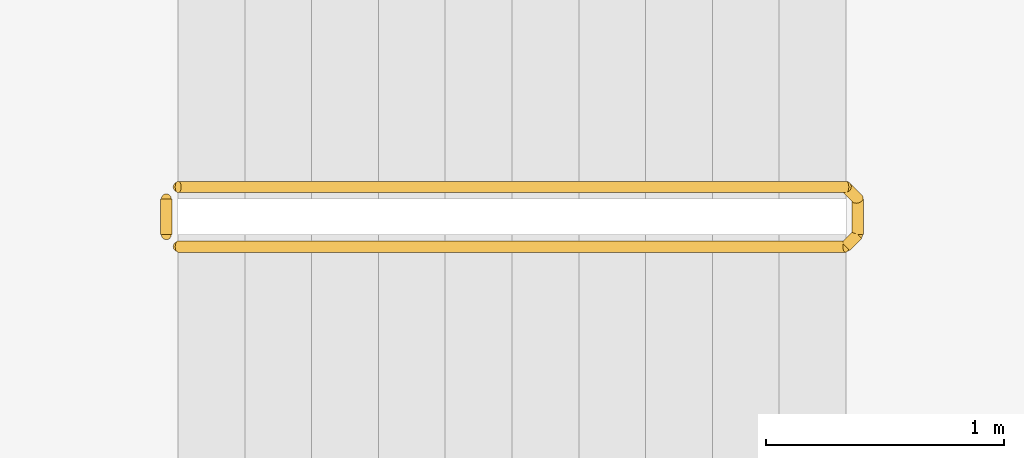
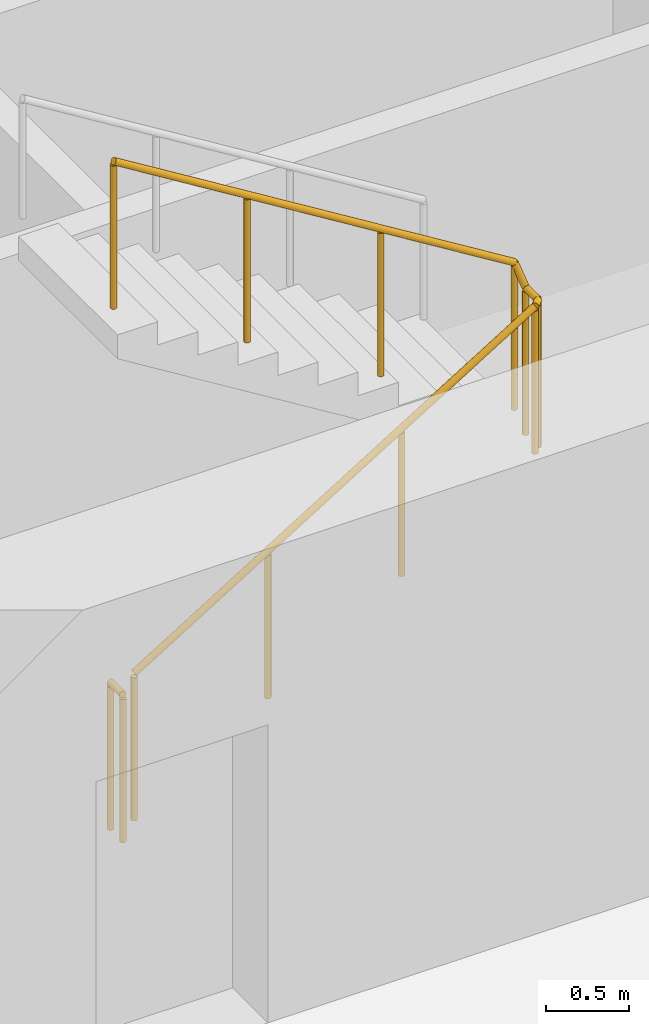
# One storey, part 9 of 13: 2 railings.
"""IFC4 building model written with IfcOpenShell, lengths in metres."""

import ifcopenshell
import ifcopenshell.guid

model = None  # the IFC model being written
_history = None  # IfcOwnerHistory: only IFC2X3 demands one
_inside = {}  # id of a spatial element -> (the spatial element, [elements in it])
_under = {}  # id of a project, library or spatial element -> (it, [spatial elements below it])
_declared = {}  # id of a project -> (the project, [libraries it declares])
_typed = {}  # id of a type object -> (the type object, [elements of that type])
_made_of = {}  # id of a material, layer set ... -> (it, [elements and type objects made of it])


def new_model(schema):
    """Start an empty IFC model of exactly this schema.

    Asked for "IFC4X3", IfcOpenShell would pick the latest addendum, in which some entities
    have other attributes; the version numbers below select the first issue.
    IFC2X3 requires an IfcOwnerHistory on every rooted entity: one is made here for all.
    """
    global model, _history
    if schema == "IFC4X3":
        model = ifcopenshell.file(schema_version=(4, 3, 0, 0))
    else:
        model = ifcopenshell.file(schema=schema)
    _inside.clear()
    _under.clear()
    _declared.clear()
    _typed.clear()
    _made_of.clear()
    _history = None
    if model.schema == "IFC2X3":
        org = make("IfcOrganization", Name="unknown")
        user = make(
            "IfcPersonAndOrganization",
            ThePerson=make("IfcPerson", FamilyName="unknown"),
            TheOrganization=org,
        )
        app = make(
            "IfcApplication",
            ApplicationDeveloper=org,
            Version="unknown",
            ApplicationFullName="unknown",
            ApplicationIdentifier="unknown",
        )
        _history = make(
            "IfcOwnerHistory",
            OwningUser=user,
            OwningApplication=app,
            ChangeAction="ADDED",
            CreationDate=0,
        )
    return model


def make(cls, **values):
    """One entity of the class cls with the attributes given. An attribute that is None is left unset."""
    return model.create_entity(
        cls, **{name: value for name, value in values.items() if value is not None}
    )


def rooted(cls, **values):
    """An entity with a GlobalId (a new one), such as an element, a storey or a relation."""
    return make(cls, GlobalId=ifcopenshell.guid.new(), OwnerHistory=_history, **values)


def si_unit(unit_type, name, prefix=None):
    """IfcSIUnit, for example si_unit("LENGTHUNIT", "METRE", prefix="MILLI")."""
    return make("IfcSIUnit", UnitType=unit_type, Prefix=prefix, Name=name)


def assignment(units):
    """IfcUnitAssignment: the units of a project."""
    return None if units is None else make("IfcUnitAssignment", Units=units)


def point(xyz):
    """IfcCartesianPoint."""
    return None if xyz is None else make("IfcCartesianPoint", Coordinates=xyz)


def direction(xyz):
    """IfcDirection."""
    return None if xyz is None else make("IfcDirection", DirectionRatios=xyz)


def frame(location, z_axis=None, x_axis=None):
    """IfcAxis2Placement3D, a coordinate frame: its origin and axes. An axis left out is left unset."""
    return make(
        "IfcAxis2Placement3D",
        Location=point(location),
        Axis=direction(z_axis),
        RefDirection=direction(x_axis),
    )


def frame_2d(location, x_axis=None):
    """IfcAxis2Placement2D, a coordinate frame in the plane: its origin and x axis."""
    return make(
        "IfcAxis2Placement2D", Location=point(location), RefDirection=direction(x_axis)
    )


def origin():
    """The frame at (0, 0, 0) with its axes left unset."""
    return frame((0.0, 0.0, 0.0))


def origin_2d():
    """The frame at (0, 0) in the plane with its x axis left unset."""
    return frame_2d((0.0, 0.0))


def place(relative_to, where):
    """IfcLocalPlacement: puts the frame where relative to a parent placement (None: the world)."""
    return make(
        "IfcLocalPlacement", PlacementRelTo=relative_to, RelativePlacement=where
    )


def context(
    kind, dimensions, precision=None, world=None, true_north=None, identifier=None
):
    """IfcGeometricRepresentationContext, for example the 3D "Model" context."""
    return make(
        "IfcGeometricRepresentationContext",
        ContextIdentifier=identifier,
        ContextType=kind,
        CoordinateSpaceDimension=dimensions,
        Precision=precision,
        WorldCoordinateSystem=world,
        TrueNorth=true_north,
    )


def subcontext(parent, identifier, kind, view, scale=None):
    """IfcGeometricRepresentationSubContext, for example "Body" below "Model"."""
    return make(
        "IfcGeometricRepresentationSubContext",
        ContextIdentifier=identifier,
        ContextType=kind,
        ParentContext=parent,
        TargetScale=scale,
        TargetView=view,
    )


def project(units=None, contexts=None):
    """IfcProject with its units and contexts."""
    return rooted(
        "IfcProject",
        Name="project",
        RepresentationContexts=contexts,
        UnitsInContext=assignment(units),
    )


def spatial(cls, under=None, at=None, **own):
    """A site, building, storey or space (cls), placed at a placement, below another one or the project."""
    s = rooted(cls, ObjectPlacement=at, **own)
    if under is not None:
        _under.setdefault(under.id(), (under, []))[1].append(s)
    return s


def profile(cls, at=None, kind="AREA", **sizes):
    """A parametric profile (cls). Its sizes go by their IFC names, for example OverallWidth=200.0."""
    return make(cls, ProfileType=kind, Position=at, **sizes)


def circle(**sizes):
    """IfcCircleProfileDef."""
    return profile("IfcCircleProfileDef", **sizes)


def extrude(swept, where, along, depth):
    """IfcExtrudedAreaSolid: the profile swept, set in the frame where, extruded along a direction by depth."""
    return make(
        "IfcExtrudedAreaSolid",
        SweptArea=swept,
        Position=where,
        ExtrudedDirection=direction(along),
        Depth=depth,
    )


def shape(context_of_items, identifier, shape_type, items):
    """IfcShapeRepresentation: the items that make up one representation, for example the "Body"."""
    return make(
        "IfcShapeRepresentation",
        ContextOfItems=context_of_items,
        RepresentationIdentifier=identifier,
        RepresentationType=shape_type,
        Items=items,
    )


def material(Name=None, Category=None):
    """IfcMaterial."""
    return make("IfcMaterial", Name=Name, Category=Category)


def made_of(thing, what):
    """Note that an element or type object is made of a material, layer set ...; save() writes the relation."""
    if what is not None:
        _made_of.setdefault(what.id(), (what, []))[1].append(thing)
    return thing


def type_object(cls, material=None, **own):
    """A type object (cls), such as IfcWallType, which elements share."""
    return made_of(rooted(cls, **own), material)


def element(
    cls,
    number,
    at=None,
    inside=None,
    cuts=None,
    type_object=None,
    material=None,
    context=None,
    identifier="Body",
    shape_type=None,
    held_by="IfcProductDefinitionShape",
    body=None,
    shapes=None,
    **own,
):
    """One element of the class cls, such as IfcWall. Its Tag is "e" and its number.

    at: its placement. inside: the storey or other place that contains it. cuts: it is an
    opening in that element (IfcRelVoidsElement). A single representation is given by context,
    identifier, shape_type and body (its items); several are given by shapes. held_by: the class
    of the entity that holds the representations. save() writes the other relations.
    """
    e = rooted(cls, Tag="e%d" % number, ObjectPlacement=at, **own)
    if body is not None:
        shapes = [shape(context, identifier, shape_type, body)]
    if shapes is not None:
        e.Representation = make(held_by, Representations=shapes)
    if inside is not None:
        _inside.setdefault(inside.id(), (inside, []))[1].append(e)
    if cuts is not None:
        rooted(
            "IfcRelVoidsElement", RelatingBuildingElement=cuts, RelatedOpeningElement=e
        )
    if type_object is not None:
        _typed.setdefault(type_object.id(), (type_object, []))[1].append(e)
    return made_of(e, material)


def aggregate(whole, parts):
    """IfcRelAggregates: a whole, such as a stair, and the parts it consists of."""
    return rooted("IfcRelAggregates", RelatingObject=whole, RelatedObjects=parts)


def save(model, path):
    """Write the relations noted so far, then the file.

    IfcRelAggregates (storeys below a building ...), IfcRelContainedInSpatialStructure (elements
    in a storey), IfcRelDefinesByType, IfcRelAssociatesMaterial and IfcRelDeclares: one each for
    every whole, place, type object, material and project.
    """
    for whole, parts in _under.values():
        aggregate(whole, parts)
    for where, things in _inside.values():
        rooted(
            "IfcRelContainedInSpatialStructure",
            RelatedElements=things,
            RelatingStructure=where,
        )
    for kind, things in _typed.values():
        rooted("IfcRelDefinesByType", RelatedObjects=things, RelatingType=kind)
    for what, things in _made_of.values():
        rooted("IfcRelAssociatesMaterial", RelatedObjects=things, RelatingMaterial=what)
    for by, libraries in _declared.values():
        rooted("IfcRelDeclares", RelatingContext=by, RelatedDefinitions=libraries)
    model.write(path)


model = new_model("IFC4")

# Units and contexts
model_context = context("Model", 3, precision=1e-05, world=origin(), true_north=direction((0.0, 1.0)))
body_context = subcontext(model_context, "Body", "Model", "MODEL_VIEW")
ifc_project = project(units=[si_unit("LENGTHUNIT", "METRE"), si_unit("AREAUNIT", "SQUARE_METRE"), si_unit("VOLUMEUNIT", "CUBIC_METRE"), si_unit("PLANEANGLEUNIT", "RADIAN"), si_unit("MASSUNIT", "GRAM", prefix="KILO")], contexts=[model_context])

# Site, building, storey
site_placement = place(None, origin())
site = spatial("IfcSite", under=ifc_project, at=site_placement, CompositionType="ELEMENT")
building_placement = place(site_placement, origin())
building = spatial("IfcBuilding", under=site, at=building_placement, Name="Orbiselva Terraces", CompositionType="ELEMENT")
storey_placement = place(building_placement, frame((0.0, 0.0, 96.0)))
storey = spatial("IfcBuildingStorey", under=building, at=storey_placement, Name="L24", CompositionType="ELEMENT", Elevation=96.0)

# Railings
ifc_material = material(Name="Stainless steel", Category="steel")
railing_type = type_object("IfcRailingType", Name="CORE-GUARD-1100", PredefinedType="GUARDRAIL", material=ifc_material)
railing_1_placement = place(storey_placement, frame((-7.15, 6.55, 0.172727)))
element("IfcRailing", 1, at=railing_1_placement, inside=storey, type_object=railing_type, Name="L24 S3 stair guard 1", PredefinedType="GUARDRAIL", context=body_context, shape_type="SweptSolid", body=[
    extrude(circle(Radius=0.024, at=origin_2d()), frame((0.0, 0.0, 1.081), z_axis=(0.851088519012, 0.0, 0.52502222125), x_axis=(0.0, 1.0, 0.0)), (0.0, 0.0, 1.0), 3.289905),
    extrude(circle(Radius=0.024, at=origin_2d()), frame((2.8, 0.0, 2.808273), z_axis=(0.707106781187, 0.707106781187, 0.0), x_axis=(-0.707106781187, 0.707106781187, 0.0)), (0.0, 0.0, 1.0), 0.070711),
    extrude(circle(Radius=0.024, at=origin_2d()), frame((2.85, 0.05, 2.808273), z_axis=(0.0, 1.0, 0.0), x_axis=(-1.0, 0.0, 0.0)), (0.0, 0.0, 1.0), 0.15),
    extrude(circle(Radius=0.024, at=origin_2d()), frame((2.85, 0.2, 2.808273), z_axis=(-0.267894925557, 0.267894925557, 0.925453736133), x_axis=(-0.707106781187, -0.707106781187, 0.0)), (0.0, 0.0, 1.0), 0.18664),
    extrude(circle(Radius=0.024, at=origin_2d()), frame((2.8, 0.25, 2.981), z_axis=(-0.851088519012, 0.0, 0.52502222125), x_axis=(0.0, -1.0, 0.0)), (0.0, 0.0, 1.0), 3.289905),
    extrude(circle(Radius=0.021, at=origin_2d()), origin(), (0.0, 0.0, 1.0), 1.057),
    extrude(circle(Radius=0.021, at=origin_2d()), frame((0.933333, 0.0, 0.575758)), (0.0, 0.0, 1.0), 1.057),
    extrude(circle(Radius=0.021, at=origin_2d()), frame((1.866667, 0.0, 1.151515)), (0.0, 0.0, 1.0), 1.057),
    extrude(circle(Radius=0.021, at=origin_2d()), frame((2.8, 0.0, 1.727273)), (0.0, 0.0, 1.0), 1.057),
    extrude(circle(Radius=0.021, at=origin_2d()), frame((2.85, 0.05, 1.727273)), (0.0, 0.0, 1.0), 1.057),
    extrude(circle(Radius=0.021, at=origin_2d()), frame((2.85, 0.2, 1.727273)), (0.0, 0.0, 1.0), 1.057),
    extrude(circle(Radius=0.021, at=origin_2d()), frame((2.8, 0.25, 1.9)), (0.0, 0.0, 1.0), 1.057),
    extrude(circle(Radius=0.021, at=origin_2d()), frame((1.866667, 0.25, 2.475758)), (0.0, 0.0, 1.0), 1.057),
    extrude(circle(Radius=0.021, at=origin_2d()), frame((0.933333, 0.25, 3.051515)), (0.0, 0.0, 1.0), 1.057),
    extrude(circle(Radius=0.021, at=origin_2d()), frame((0.0, 0.25, 3.627273)), (0.0, 0.0, 1.0), 1.057),
])
railing_2_placement = place(storey_placement, frame((-7.2, 6.6, 0.0)))
element("IfcRailing", 2, at=railing_2_placement, inside=storey, type_object=railing_type, Name="L24 S3 stair guard 2", PredefinedType="GUARDRAIL", context=body_context, shape_type="SweptSolid", body=[
    extrude(circle(Radius=0.024, at=origin_2d()), frame((0.0, 0.0, 1.081), z_axis=(0.0, 1.0, 0.0), x_axis=(-1.0, 0.0, 0.0)), (0.0, 0.0, 1.0), 0.15),
    extrude(circle(Radius=0.021, at=origin_2d()), origin(), (0.0, 0.0, 1.0), 1.057),
    extrude(circle(Radius=0.021, at=origin_2d()), frame((0.0, 0.15, 0.0)), (0.0, 0.0, 1.0), 1.057),
])

save(model, "model.ifc")
